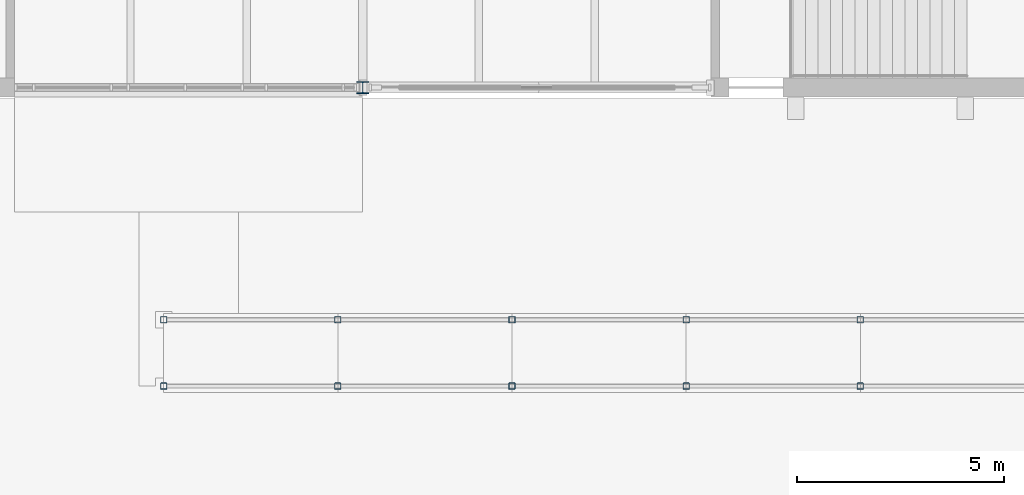
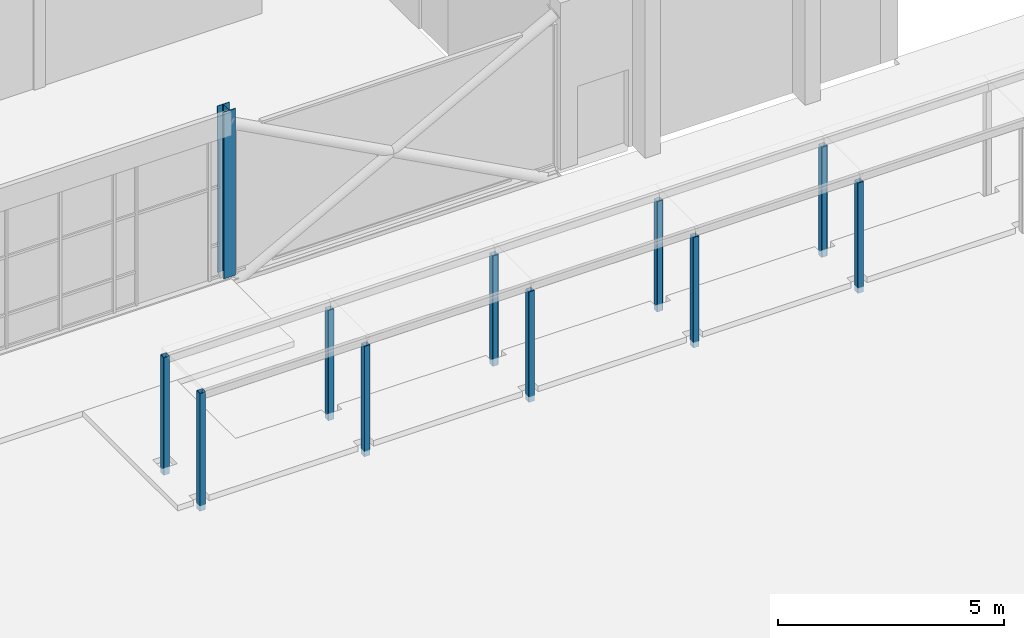
# One storey, part 2 of 116: 11 columns.
"""IFC4 building model written with IfcOpenShell, lengths in metres."""

from ifc_helpers import new_model, si_unit, direction, frame, origin, origin_2d, place, context, subcontext, project, spatial, hollow_rectangle, i_section, extrude, material, material_profile, profile_set, type_object, element, save


model = new_model("IFC4")

# Units and contexts
model_context = context("Model", 3, precision=1e-05, world=origin(), true_north=direction((0.0, 1.0)))
body_context = subcontext(model_context, "Body", "Model", "MODEL_VIEW")
ifc_project = project(units=[si_unit("LENGTHUNIT", "METRE"), si_unit("AREAUNIT", "SQUARE_METRE"), si_unit("VOLUMEUNIT", "CUBIC_METRE"), si_unit("PLANEANGLEUNIT", "RADIAN"), si_unit("MASSUNIT", "GRAM", prefix="KILO")], contexts=[model_context])

# Site, building, storey
site_placement = place(None, origin())
site = spatial("IfcSite", under=ifc_project, at=site_placement, CompositionType="ELEMENT")
building_placement = place(site_placement, origin())
building = spatial("IfcBuilding", under=site, at=building_placement, Name="Ardhachandra Cancer Care Centre", CompositionType="ELEMENT")
storey_placement = place(building_placement, origin())
storey = spatial("IfcBuildingStorey", under=building, at=storey_placement, Name="L00", CompositionType="ELEMENT", Elevation=0.0)

# Columns
ifc_material_1 = material(Name="Steel E350 (IS 2062)", Category="steel")
ifc_material_profile_1 = material_profile(ifc_material_1, i_section(OverallWidth=0.300048828125, OverallDepth=0.2900390625, WebThickness=0.008544921875, FlangeThickness=0.013916015625, FilletRadius=0.027099609375, at=origin_2d()), Name="WPB 300x300x88.33")
ifc_profile_set_1 = profile_set([ifc_material_profile_1], Name="Steel E350 (IS 2062)")
column_type_1 = type_object("IfcColumnType", Name="Column WPB 300x300x88.33", PredefinedType="COLUMN", material=ifc_profile_set_1)
column_1_placement = place(storey_placement, frame((27.60009765625, 29.39990234375, 0.0), z_axis=(0.0, 0.0, 1.0), x_axis=(1.0, 0.0, 0.0)))
element("IfcColumn", 1, at=column_1_placement, inside=storey, type_object=column_type_1, Name="Column C3 L00", PredefinedType="COLUMN", context=body_context, shape_type="SweptSolid", body=[
    extrude(i_section(OverallWidth=0.300048828125, OverallDepth=0.2900390625, WebThickness=0.008544921875, FlangeThickness=0.013916015625, FilletRadius=0.027099609375, at=origin_2d()), origin(), (0.0, 0.0, 1.0), 4.5),
])
ifc_material_2 = material(Name="Steel E350 (IS 2062)", Category="steel")
ifc_material_profile_2 = material_profile(ifc_material_2, hollow_rectangle(XDim=0.14990234375, YDim=0.14990234375, WallThickness=0.006103515625, InnerFilletRadius=0.006103515625, OuterFilletRadius=0.011962890625, at=origin_2d()), Name="SHS 150x150x6.0")
ifc_profile_set_2 = profile_set([ifc_material_profile_2], Name="Steel E350 (IS 2062)")
column_type_2 = type_object("IfcColumnType", Name="Walk column SHS 150x150x6.0", PredefinedType="COLUMN", material=ifc_profile_set_2)
for number, where, z_axis, x_axis, name in (
    (2, (39.60009765625, 22.199951171875, -0.300048828125), (0.0, 0.0, 1.0), (1.0, 0.0, 0.0), "Walk column S06"),
    (3, (35.39990234375, 22.199951171875, -0.300048828125), (0.0, 0.0, 1.0), (1.0, 0.0, 0.0), "Walk column S07"),
    (4, (31.199951171875, 22.199951171875, -0.300048828125), (0.0, 0.0, 1.0), (1.0, 0.0, 0.0), "Walk column S08"),
    (5, (27.0, 22.199951171875, -0.300048828125), (0.0, 0.0, 1.0), (1.0, 0.0, 0.0), "Walk column S09"),
):
    element("IfcColumn", number, at=place(storey_placement, frame(where, z_axis=z_axis, x_axis=x_axis)), inside=storey, type_object=column_type_2, Name=name, PredefinedType="COLUMN", context=body_context, shape_type="SweptSolid", body=[
        extrude(hollow_rectangle(XDim=0.14990234375, YDim=0.14990234375, WallThickness=0.006103515625, InnerFilletRadius=0.006103515625, OuterFilletRadius=0.011962890625, at=origin_2d()), origin(), (0.0, 0.0, 1.0), 2.97998046875),
    ])
column_2_placement = place(storey_placement, frame((22.800048828125, 22.199951171875, -0.300048828125), z_axis=(0.0, 0.0, 1.0), x_axis=(1.0, 0.0, 0.0)))
element("IfcColumn", 6, at=column_2_placement, inside=storey, type_object=column_type_2, Name="Walk column S10", PredefinedType="COLUMN", context=body_context, shape_type="SweptSolid", body=[
    extrude(hollow_rectangle(XDim=0.14990234375, YDim=0.14990234375, WallThickness=0.006103515625, InnerFilletRadius=0.006103515625, OuterFilletRadius=0.011962890625, at=origin_2d()), origin(), (0.0, 0.0, 1.0), 3.179931640625),
])
for number, where, z_axis, x_axis, name in (
    (7, (39.60009765625, 23.800048828125, -0.300048828125), (0.0, 0.0, 1.0), (1.0, 0.0, 0.0), "Walk column N06"),
    (8, (35.39990234375, 23.800048828125, -0.300048828125), (0.0, 0.0, 1.0), (1.0, 0.0, 0.0), "Walk column N07"),
    (9, (31.199951171875, 23.800048828125, -0.300048828125), (0.0, 0.0, 1.0), (1.0, 0.0, 0.0), "Walk column N08"),
    (10, (27.0, 23.800048828125, -0.300048828125), (0.0, 0.0, 1.0), (1.0, 0.0, 0.0), "Walk column N09"),
):
    element("IfcColumn", number, at=place(storey_placement, frame(where, z_axis=z_axis, x_axis=x_axis)), inside=storey, type_object=column_type_2, Name=name, PredefinedType="COLUMN", context=body_context, shape_type="SweptSolid", body=[
        extrude(hollow_rectangle(XDim=0.14990234375, YDim=0.14990234375, WallThickness=0.006103515625, InnerFilletRadius=0.006103515625, OuterFilletRadius=0.011962890625, at=origin_2d()), origin(), (0.0, 0.0, 1.0), 2.97998046875),
    ])
column_3_placement = place(storey_placement, frame((22.800048828125, 23.800048828125, -0.300048828125), z_axis=(0.0, 0.0, 1.0), x_axis=(1.0, 0.0, 0.0)))
element("IfcColumn", 11, at=column_3_placement, inside=storey, type_object=column_type_2, Name="Walk column N10", PredefinedType="COLUMN", context=body_context, shape_type="SweptSolid", body=[
    extrude(hollow_rectangle(XDim=0.14990234375, YDim=0.14990234375, WallThickness=0.006103515625, InnerFilletRadius=0.006103515625, OuterFilletRadius=0.011962890625, at=origin_2d()), origin(), (0.0, 0.0, 1.0), 3.179931640625),
])

save(model, "model.ifc")
